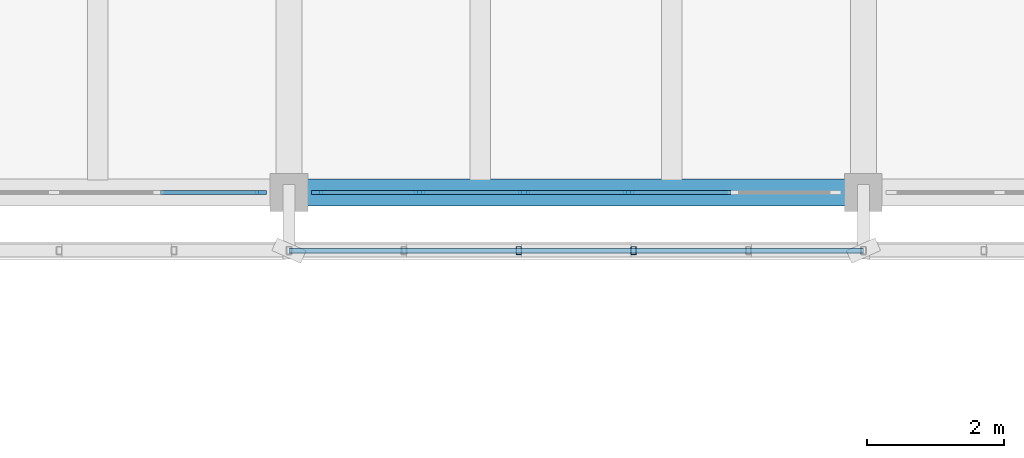
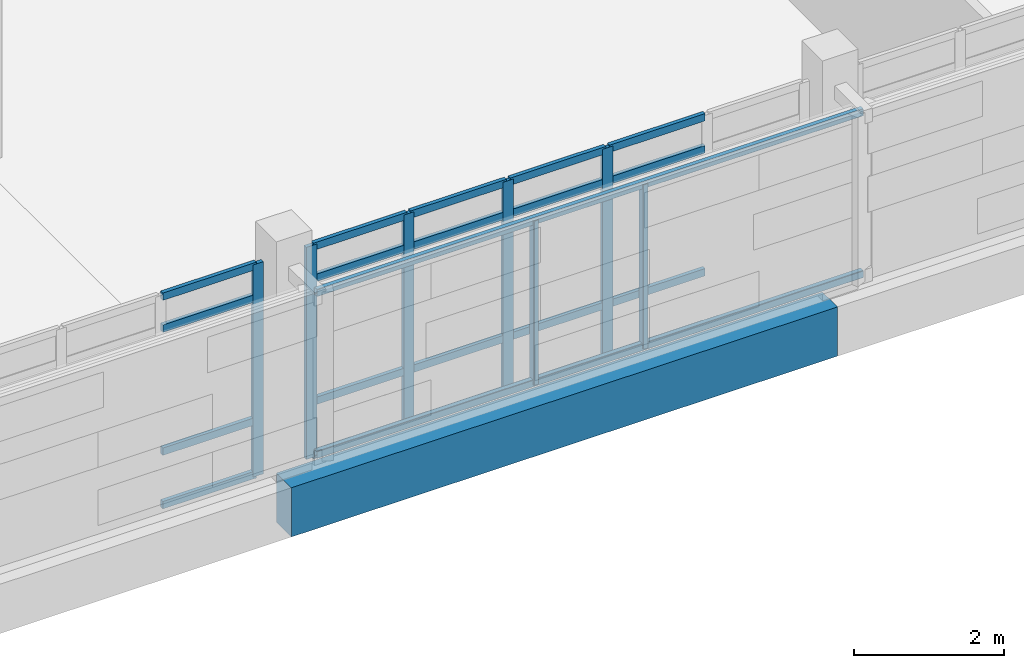
# One storey, part 44 of 117: 29 members, 1 beam, 2 elements without a shape of their own.
"""IFC4 building model written with IfcOpenShell, lengths in metres."""

from ifc_helpers import new_model, si_unit, direction, frame, origin, origin_2d, place, context, subcontext, project, spatial, rectangle, hollow_rectangle, extrude, material, material_profile, profile_set, type_object, element, aggregate, save


model = new_model("IFC4")

# Units and contexts
model_context = context("Model", 3, precision=1e-05, world=origin(), true_north=direction((0.0, 1.0)))
body_context = subcontext(model_context, "Body", "Model", "MODEL_VIEW")
ifc_project = project(units=[si_unit("LENGTHUNIT", "METRE"), si_unit("AREAUNIT", "SQUARE_METRE"), si_unit("VOLUMEUNIT", "CUBIC_METRE"), si_unit("PLANEANGLEUNIT", "RADIAN"), si_unit("MASSUNIT", "GRAM", prefix="KILO")], contexts=[model_context])

# Site, building, storey
site_placement = place(None, origin())
site = spatial("IfcSite", under=ifc_project, at=site_placement, CompositionType="ELEMENT")
building_placement = place(site_placement, origin())
building = spatial("IfcBuilding", under=site, at=building_placement, Name="Cinderway Yard Community Centre", CompositionType="ELEMENT")
storey_placement = place(building_placement, frame((0.0, 0.0, 9.0)))
storey = spatial("IfcBuildingStorey", under=building, at=storey_placement, Name="L02", CompositionType="ELEMENT", Elevation=9.0)

# Curtain wall, member
ifc_material_1 = material(Name="Aluminium 6063-T6", Category="aluminium")
curtain_wall_type = type_object("IfcCurtainWallType", Name="ENV-CW-TYPE-29", PredefinedType="USERDEFINED", material=ifc_material_1)
curtain_wall_1_placement = place(storey_placement, origin())
curtain_wall_1 = element("IfcCurtainWall", 1, at=curtain_wall_1_placement, inside=storey, type_object=curtain_wall_type, Name="V4 Courtyard Curtain Wall ENV-CW-L02-ST-0146", ObjectType="GLAZED CURTAIN WALL", PredefinedType="USERDEFINED")
ifc_material_profile_1 = material_profile(ifc_material_1, rectangle(XDim=0.06005859375, YDim=0.159912109375, at=origin_2d()), Name="Aluminium 6063-T6")
ifc_profile_set_1 = profile_set([ifc_material_profile_1], Name="Aluminium 6063-T6")
member_type_1 = type_object("IfcMemberType", Name="ENV-CW-MULL-150", PredefinedType="MULLION", material=ifc_profile_set_1)
member_1_placement = place(storey_placement, frame((66.389892578125, 90.0, 0.0), z_axis=(0.0, 0.0, 1.0), x_axis=(0.0, 1.0, 0.0)))
member_1 = element("IfcMember", 2, at=member_1_placement, type_object=member_type_1, Name="CW-29 mullion 6", PredefinedType="MULLION", context=body_context, shape_type="SweptSolid", body=[
    extrude(rectangle(XDim=0.06005859375, YDim=0.159912109375, at=origin_2d()), origin(), (0.0, 0.0, 1.0), 3.449951171875),
])

# Curtain wall, members
curtain_wall_2_placement = place(storey_placement, origin())
curtain_wall_2 = element("IfcCurtainWall", 3, at=curtain_wall_2_placement, inside=storey, type_object=curtain_wall_type, Name="V4 Courtyard Curtain Wall ENV-CW-L02-ST-0147", ObjectType="GLAZED CURTAIN WALL", PredefinedType="USERDEFINED")
member_2_placement = place(storey_placement, frame((67.2099609375, 90.0, 0.0), z_axis=(0.0, 0.0, 1.0), x_axis=(0.0, 1.0, 0.0)))
member_2 = element("IfcMember", 4, at=member_2_placement, type_object=member_type_1, Name="CW-29 mullion 1", PredefinedType="MULLION", context=body_context, shape_type="SweptSolid", body=[
    extrude(rectangle(XDim=0.06005859375, YDim=0.159912109375, at=origin_2d()), origin(), (0.0, 0.0, 1.0), 3.449951171875),
])
member_3_placement = place(storey_placement, frame((68.7080078125, 90.0, 0.0), z_axis=(0.0, 0.0, 1.0), x_axis=(0.0, 1.0, 0.0)))
member_3 = element("IfcMember", 5, at=member_3_placement, type_object=member_type_1, Name="CW-29 mullion 2", PredefinedType="MULLION", context=body_context, shape_type="SweptSolid", body=[
    extrude(rectangle(XDim=0.06005859375, YDim=0.159912109375, at=origin_2d()), origin(), (0.0, 0.0, 1.0), 3.449951171875),
])
member_4_placement = place(storey_placement, frame((70.236083984375, 90.0, 0.0), z_axis=(0.0, 0.0, 1.0), x_axis=(0.0, 1.0, 0.0)))
member_4 = element("IfcMember", 6, at=member_4_placement, type_object=member_type_1, Name="CW-29 mullion 3", PredefinedType="MULLION", context=body_context, shape_type="SweptSolid", body=[
    extrude(rectangle(XDim=0.06005859375, YDim=0.159912109375, at=origin_2d()), origin(), (0.0, 0.0, 1.0), 3.449951171875),
])
member_5_placement = place(storey_placement, frame((71.763916015625, 90.0, 0.0), z_axis=(0.0, 0.0, 1.0), x_axis=(0.0, 1.0, 0.0)))
member_5 = element("IfcMember", 7, at=member_5_placement, type_object=member_type_1, Name="CW-29 mullion 4", PredefinedType="MULLION", context=body_context, shape_type="SweptSolid", body=[
    extrude(rectangle(XDim=0.06005859375, YDim=0.159912109375, at=origin_2d()), origin(), (0.0, 0.0, 1.0), 3.449951171875),
])

# Member
ifc_material_profile_2 = material_profile(ifc_material_1, rectangle(XDim=0.06005859375, YDim=0.1201171875, at=origin_2d()), Name="Aluminium 6063-T6")
ifc_profile_set_2 = profile_set([ifc_material_profile_2], Name="Aluminium 6063-T6")
member_type_2 = type_object("IfcMemberType", Name="ENV-CW-TRAN-110", PredefinedType="USERDEFINED", material=ifc_profile_set_2)
member_6_placement = place(storey_placement, frame((64.922119140625, 90.0, 0.030029296875), z_axis=(1.0, 0.0, 0.0), x_axis=(0.0, 1.0, 0.0)))
member_6 = element("IfcMember", 8, at=member_6_placement, type_object=member_type_2, Name="CW-29 transom 5.1", ObjectType="TRANSOM", PredefinedType="USERDEFINED", context=body_context, shape_type="SweptSolid", body=[
    extrude(rectangle(XDim=0.06005859375, YDim=0.1201171875, at=origin_2d()), origin(), (0.0, 0.0, 1.0), 1.43798828125),
])

member_7_placement = place(storey_placement, frame((64.922119140625, 90.0, 0.89990234375), z_axis=(1.0, 0.0, 0.0), x_axis=(0.0, 1.0, 0.0)))
member_7 = element("IfcMember", 9, at=member_7_placement, type_object=member_type_2, Name="CW-29 transom 5.2", ObjectType="TRANSOM", PredefinedType="USERDEFINED", context=body_context, shape_type="SweptSolid", body=[
    extrude(rectangle(XDim=0.06005859375, YDim=0.1201171875, at=origin_2d()), origin(), (0.0, 0.0, 1.0), 1.43798828125),
])

member_8_placement = place(storey_placement, frame((64.922119140625, 90.0, 2.89990234375), z_axis=(1.0, 0.0, 0.0), x_axis=(0.0, 1.0, 0.0)))
member_8 = element("IfcMember", 10, at=member_8_placement, type_object=member_type_2, Name="CW-29 transom 5.3", ObjectType="TRANSOM", PredefinedType="USERDEFINED", context=body_context, shape_type="SweptSolid", body=[
    extrude(rectangle(XDim=0.06005859375, YDim=0.1201171875, at=origin_2d()), origin(), (0.0, 0.0, 1.0), 1.43798828125),
])

member_9_placement = place(storey_placement, frame((64.922119140625, 90.0, 3.419921875), z_axis=(1.0, 0.0, 0.0), x_axis=(0.0, 1.0, 0.0)))
member_9 = element("IfcMember", 11, at=member_9_placement, type_object=member_type_2, Name="CW-29 transom 5.4", ObjectType="TRANSOM", PredefinedType="USERDEFINED", context=body_context, shape_type="SweptSolid", body=[
    extrude(rectangle(XDim=0.06005859375, YDim=0.1201171875, at=origin_2d()), origin(), (0.0, 0.0, 1.0), 1.43798828125),
])

aggregate(curtain_wall_1, [member_1, member_6, member_7, member_8, member_9])

member_10_placement = place(storey_placement, frame((67.239990234375, 90.0, 0.030029296875), z_axis=(1.0, 0.0, 0.0), x_axis=(0.0, 1.0, 0.0)))
member_10 = element("IfcMember", 12, at=member_10_placement, type_object=member_type_2, Name="CW-29 transom 1.1", ObjectType="TRANSOM", PredefinedType="USERDEFINED", context=body_context, shape_type="SweptSolid", body=[
    extrude(rectangle(XDim=0.06005859375, YDim=0.1201171875, at=origin_2d()), origin(), (0.0, 0.0, 1.0), 1.43798828125),
])

member_11_placement = place(storey_placement, frame((67.239990234375, 90.0, 0.89990234375), z_axis=(1.0, 0.0, 0.0), x_axis=(0.0, 1.0, 0.0)))
member_11 = element("IfcMember", 13, at=member_11_placement, type_object=member_type_2, Name="CW-29 transom 1.2", ObjectType="TRANSOM", PredefinedType="USERDEFINED", context=body_context, shape_type="SweptSolid", body=[
    extrude(rectangle(XDim=0.06005859375, YDim=0.1201171875, at=origin_2d()), origin(), (0.0, 0.0, 1.0), 1.43798828125),
])

member_12_placement = place(storey_placement, frame((67.239990234375, 90.0, 2.89990234375), z_axis=(1.0, 0.0, 0.0), x_axis=(0.0, 1.0, 0.0)))
member_12 = element("IfcMember", 14, at=member_12_placement, type_object=member_type_2, Name="CW-29 transom 1.3", ObjectType="TRANSOM", PredefinedType="USERDEFINED", context=body_context, shape_type="SweptSolid", body=[
    extrude(rectangle(XDim=0.06005859375, YDim=0.1201171875, at=origin_2d()), origin(), (0.0, 0.0, 1.0), 1.43798828125),
])

member_13_placement = place(storey_placement, frame((67.239990234375, 90.0, 3.419921875), z_axis=(1.0, 0.0, 0.0), x_axis=(0.0, 1.0, 0.0)))
member_13 = element("IfcMember", 15, at=member_13_placement, type_object=member_type_2, Name="CW-29 transom 1.4", ObjectType="TRANSOM", PredefinedType="USERDEFINED", context=body_context, shape_type="SweptSolid", body=[
    extrude(rectangle(XDim=0.06005859375, YDim=0.1201171875, at=origin_2d()), origin(), (0.0, 0.0, 1.0), 1.43798828125),
])

member_14_placement = place(storey_placement, frame((68.738037109375, 90.0, 0.030029296875), z_axis=(1.0, 0.0, 0.0), x_axis=(0.0, 1.0, 0.0)))
member_14 = element("IfcMember", 16, at=member_14_placement, type_object=member_type_2, Name="CW-29 transom 2.1", ObjectType="TRANSOM", PredefinedType="USERDEFINED", context=body_context, shape_type="SweptSolid", body=[
    extrude(rectangle(XDim=0.06005859375, YDim=0.1201171875, at=origin_2d()), origin(), (0.0, 0.0, 1.0), 1.468017578125),
])

member_15_placement = place(storey_placement, frame((68.738037109375, 90.0, 0.89990234375), z_axis=(1.0, 0.0, 0.0), x_axis=(0.0, 1.0, 0.0)))
member_15 = element("IfcMember", 17, at=member_15_placement, type_object=member_type_2, Name="CW-29 transom 2.2", ObjectType="TRANSOM", PredefinedType="USERDEFINED", context=body_context, shape_type="SweptSolid", body=[
    extrude(rectangle(XDim=0.06005859375, YDim=0.1201171875, at=origin_2d()), origin(), (0.0, 0.0, 1.0), 1.468017578125),
])

member_16_placement = place(storey_placement, frame((68.738037109375, 90.0, 2.89990234375), z_axis=(1.0, 0.0, 0.0), x_axis=(0.0, 1.0, 0.0)))
member_16 = element("IfcMember", 18, at=member_16_placement, type_object=member_type_2, Name="CW-29 transom 2.3", ObjectType="TRANSOM", PredefinedType="USERDEFINED", context=body_context, shape_type="SweptSolid", body=[
    extrude(rectangle(XDim=0.06005859375, YDim=0.1201171875, at=origin_2d()), origin(), (0.0, 0.0, 1.0), 1.468017578125),
])

member_17_placement = place(storey_placement, frame((68.738037109375, 90.0, 3.419921875), z_axis=(1.0, 0.0, 0.0), x_axis=(0.0, 1.0, 0.0)))
member_17 = element("IfcMember", 19, at=member_17_placement, type_object=member_type_2, Name="CW-29 transom 2.4", ObjectType="TRANSOM", PredefinedType="USERDEFINED", context=body_context, shape_type="SweptSolid", body=[
    extrude(rectangle(XDim=0.06005859375, YDim=0.1201171875, at=origin_2d()), origin(), (0.0, 0.0, 1.0), 1.468017578125),
])

member_18_placement = place(storey_placement, frame((70.26611328125, 90.0, 0.030029296875), z_axis=(1.0, 0.0, 0.0), x_axis=(0.0, 1.0, 0.0)))
member_18 = element("IfcMember", 20, at=member_18_placement, type_object=member_type_2, Name="CW-29 transom 3.1", ObjectType="TRANSOM", PredefinedType="USERDEFINED", context=body_context, shape_type="SweptSolid", body=[
    extrude(rectangle(XDim=0.06005859375, YDim=0.1201171875, at=origin_2d()), origin(), (0.0, 0.0, 1.0), 1.4677734375),
])

member_19_placement = place(storey_placement, frame((70.26611328125, 90.0, 0.89990234375), z_axis=(1.0, 0.0, 0.0), x_axis=(0.0, 1.0, 0.0)))
member_19 = element("IfcMember", 21, at=member_19_placement, type_object=member_type_2, Name="CW-29 transom 3.2", ObjectType="TRANSOM", PredefinedType="USERDEFINED", context=body_context, shape_type="SweptSolid", body=[
    extrude(rectangle(XDim=0.06005859375, YDim=0.1201171875, at=origin_2d()), origin(), (0.0, 0.0, 1.0), 1.4677734375),
])

member_20_placement = place(storey_placement, frame((70.26611328125, 90.0, 2.89990234375), z_axis=(1.0, 0.0, 0.0), x_axis=(0.0, 1.0, 0.0)))
member_20 = element("IfcMember", 22, at=member_20_placement, type_object=member_type_2, Name="CW-29 transom 3.3", ObjectType="TRANSOM", PredefinedType="USERDEFINED", context=body_context, shape_type="SweptSolid", body=[
    extrude(rectangle(XDim=0.06005859375, YDim=0.1201171875, at=origin_2d()), origin(), (0.0, 0.0, 1.0), 1.4677734375),
])

member_21_placement = place(storey_placement, frame((70.26611328125, 90.0, 3.419921875), z_axis=(1.0, 0.0, 0.0), x_axis=(0.0, 1.0, 0.0)))
member_21 = element("IfcMember", 23, at=member_21_placement, type_object=member_type_2, Name="CW-29 transom 3.4", ObjectType="TRANSOM", PredefinedType="USERDEFINED", context=body_context, shape_type="SweptSolid", body=[
    extrude(rectangle(XDim=0.06005859375, YDim=0.1201171875, at=origin_2d()), origin(), (0.0, 0.0, 1.0), 1.4677734375),
])

member_22_placement = place(storey_placement, frame((71.7939453125, 90.0, 0.030029296875), z_axis=(1.0, 0.0, 0.0), x_axis=(0.0, 1.0, 0.0)))
member_22 = element("IfcMember", 24, at=member_22_placement, type_object=member_type_2, Name="CW-29 transom 4.1", ObjectType="TRANSOM", PredefinedType="USERDEFINED", context=body_context, shape_type="SweptSolid", body=[
    extrude(rectangle(XDim=0.06005859375, YDim=0.1201171875, at=origin_2d()), origin(), (0.0, 0.0, 1.0), 1.468017578125),
])

member_23_placement = place(storey_placement, frame((71.7939453125, 90.0, 0.89990234375), z_axis=(1.0, 0.0, 0.0), x_axis=(0.0, 1.0, 0.0)))
member_23 = element("IfcMember", 25, at=member_23_placement, type_object=member_type_2, Name="CW-29 transom 4.2", ObjectType="TRANSOM", PredefinedType="USERDEFINED", context=body_context, shape_type="SweptSolid", body=[
    extrude(rectangle(XDim=0.06005859375, YDim=0.1201171875, at=origin_2d()), origin(), (0.0, 0.0, 1.0), 1.468017578125),
])

member_24_placement = place(storey_placement, frame((71.7939453125, 90.0, 2.89990234375), z_axis=(1.0, 0.0, 0.0), x_axis=(0.0, 1.0, 0.0)))
member_24 = element("IfcMember", 26, at=member_24_placement, type_object=member_type_2, Name="CW-29 transom 4.3", ObjectType="TRANSOM", PredefinedType="USERDEFINED", context=body_context, shape_type="SweptSolid", body=[
    extrude(rectangle(XDim=0.06005859375, YDim=0.1201171875, at=origin_2d()), origin(), (0.0, 0.0, 1.0), 1.468017578125),
])

member_25_placement = place(storey_placement, frame((71.7939453125, 90.0, 3.419921875), z_axis=(1.0, 0.0, 0.0), x_axis=(0.0, 1.0, 0.0)))
member_25 = element("IfcMember", 27, at=member_25_placement, type_object=member_type_2, Name="CW-29 transom 4.4", ObjectType="TRANSOM", PredefinedType="USERDEFINED", context=body_context, shape_type="SweptSolid", body=[
    extrude(rectangle(XDim=0.06005859375, YDim=0.1201171875, at=origin_2d()), origin(), (0.0, 0.0, 1.0), 1.468017578125),
])

aggregate(curtain_wall_2, [member_2, member_3, member_4, member_5, member_10, member_11, member_12, member_13, member_14, member_15, member_16, member_17, member_18, member_19, member_20, member_21, member_22, member_23, member_24, member_25])

# Members
ifc_material_2 = material(Name="Steel S355", Category="steel")
ifc_material_profile_3 = material_profile(ifc_material_2, hollow_rectangle(XDim=0.080078125, YDim=0.1201171875, WallThickness=0.00634765625, InnerFilletRadius=0.00634765625, OuterFilletRadius=0.0126953125, at=origin_2d()), Name="Steel S355")
ifc_profile_set_3 = profile_set([ifc_material_profile_3], Name="Steel S355")
member_type_3 = type_object("IfcMemberType", Name="ENV-MEM-SCREEN-RAIL-120", PredefinedType="STRINGER", material=ifc_profile_set_3)
for number, where, z_axis, x_axis, name in (
    (28, (66.800048828125, 89.14990234375, 0.7099609375), (1.0, 0.0, 0.0), (0.0, 1.0, 0.0), "Screen support rail 0439-BOT"),
    (29, (66.800048828125, 89.14990234375, 3.340087890625), (1.0, 0.0, 0.0), (0.0, 1.0, 0.0), "Screen support rail 0440-TOP"),
):
    element("IfcMember", number, at=place(storey_placement, frame(where, z_axis=z_axis, x_axis=x_axis)), inside=storey, type_object=member_type_3, Name=name, PredefinedType="STRINGER", context=body_context, shape_type="SweptSolid", body=[
        extrude(hollow_rectangle(XDim=0.080078125, YDim=0.1201171875, WallThickness=0.00634765625, InnerFilletRadius=0.00634765625, OuterFilletRadius=0.0126953125, at=origin_2d()), origin(), (0.0, 0.0, 1.0), 8.39990234375),
    ])
for number, where, z_axis, x_axis, name in (
    (30, (70.159912109375, 89.14990234375, 0.68994140625), (0.0, 0.0, 1.0), (1.0, 0.0, 0.0), "Screen vertical mullion 0442"),
    (31, (71.840087890625, 89.14990234375, 0.68994140625), (0.0, 0.0, 1.0), (1.0, 0.0, 0.0), "Screen vertical mullion 0443"),
):
    element("IfcMember", number, at=place(storey_placement, frame(where, z_axis=z_axis, x_axis=x_axis)), inside=storey, type_object=member_type_3, Name=name, PredefinedType="STRINGER", context=body_context, shape_type="SweptSolid", body=[
        extrude(hollow_rectangle(XDim=0.080078125, YDim=0.1201171875, WallThickness=0.00634765625, InnerFilletRadius=0.00634765625, OuterFilletRadius=0.0126953125, at=origin_2d()), origin(), (0.0, 0.0, 1.0), 2.670166015625),
    ])

# Beam
ifc_material_3 = material(Name="Concrete C40/50", Category="concrete")
ifc_material_profile_4 = material_profile(ifc_material_3, rectangle(XDim=0.39990234375, YDim=0.800048828125, at=origin_2d()), Name="Concrete C40/50")
ifc_profile_set_4 = profile_set([ifc_material_profile_4], Name="Concrete C40/50")
beam_type = type_object("IfcBeamType", Name="STR-BM-RC400X800", PredefinedType="BEAM", material=ifc_profile_set_4)
beam_placement = place(storey_placement, frame((66.800048828125, 90.0, -0.639892578125), z_axis=(1.0, 0.0, 0.0), x_axis=(0.0, 1.0, 0.0)))
element("IfcBeam", 32, at=beam_placement, inside=storey, type_object=beam_type, Name="Primary girder STR-BM-L02-BG05-0499", PredefinedType="BEAM", context=body_context, shape_type="SweptSolid", body=[
    extrude(rectangle(XDim=0.39990234375, YDim=0.800048828125, at=origin_2d()), origin(), (0.0, 0.0, 1.0), 8.39990234375),
])

save(model, "model.ifc")
